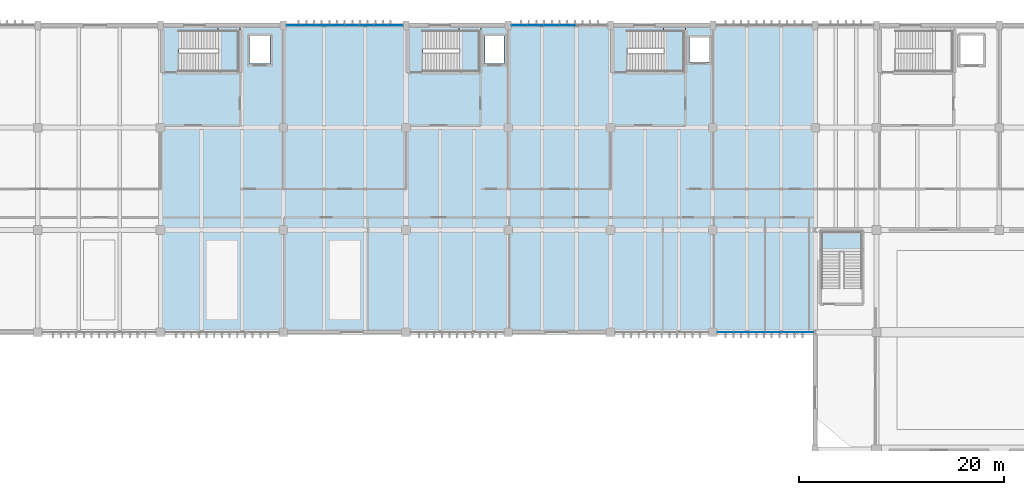
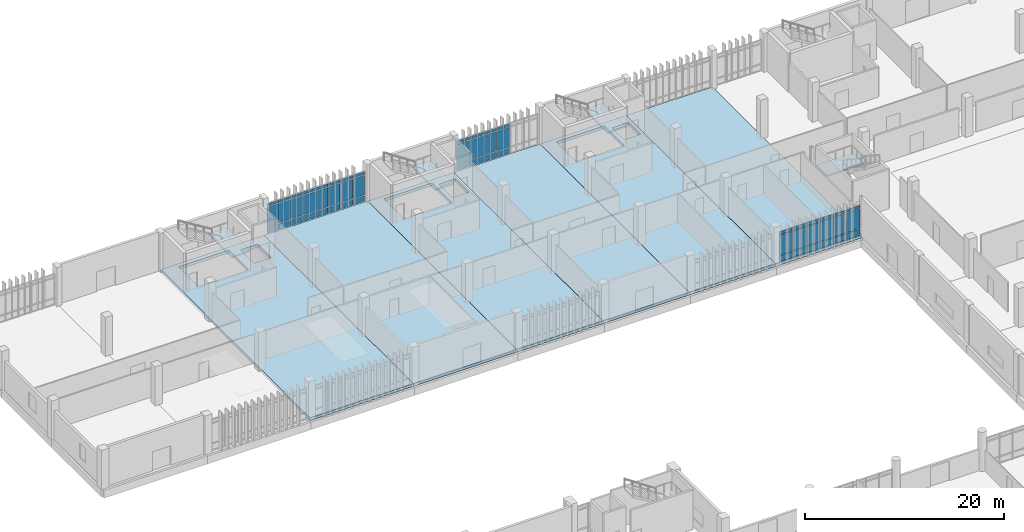
# One storey, part 65 of 87: 54 plates, 10 slabs, 7 elements without a shape of their own.
"""IFC4 building model written with IfcOpenShell, lengths in metres."""

from ifc_helpers import new_model, si_unit, direction, frame, origin, origin_2d, place, context, subcontext, project, spatial, polyline, rectangle, outline, extrude, material, layer, layer_set, type_object, element, aggregate, save


model = new_model("IFC4")

# Units and contexts
model_context = context("Model", 3, precision=1e-05, world=origin(), true_north=direction((0.0, 1.0)))
body_context = subcontext(model_context, "Body", "Model", "MODEL_VIEW")
ifc_project = project(units=[si_unit("LENGTHUNIT", "METRE"), si_unit("AREAUNIT", "SQUARE_METRE"), si_unit("VOLUMEUNIT", "CUBIC_METRE"), si_unit("PLANEANGLEUNIT", "RADIAN"), si_unit("MASSUNIT", "GRAM", prefix="KILO")], contexts=[model_context])

# Site, building, storey
site_placement = place(None, origin())
site = spatial("IfcSite", under=ifc_project, at=site_placement, CompositionType="ELEMENT")
building_placement = place(site_placement, origin())
building = spatial("IfcBuilding", under=site, at=building_placement, Name="Mersad Railyard Sports Hall", CompositionType="ELEMENT")
storey_placement = place(building_placement, origin())
storey = spatial("IfcBuildingStorey", under=building, at=storey_placement, Name="L00", CompositionType="ELEMENT", Elevation=0.0)

# Curtain wall, plates
ifc_material_1 = material(Name="Aluminium 6063-T6", Category="aluminium")
ifc_layer_1 = layer(ifc_material_1, 0.199951171875)
ifc_layer_set_1 = layer_set([ifc_layer_1], Name="Aluminium 6063-T6")
curtain_wall_type_1 = type_object("IfcCurtainWallType", Name="ARC-CW-CW28", PredefinedType="USERDEFINED", material=ifc_layer_set_1)
curtain_wall_1_placement = place(storey_placement, origin())
curtain_wall_1 = element("IfcCurtainWall", 1, at=curtain_wall_1_placement, inside=storey, type_object=curtain_wall_type_1, Name="Curtain wall CW28-0084", ObjectType="CURTAIN WALL", PredefinedType="USERDEFINED")
ifc_material_2 = material(Name="Solar-control glass", Category="glass")
ifc_layer_2 = layer(ifc_material_2, 0.028076171875)
ifc_layer_set_2 = layer_set([ifc_layer_2], Name="Solar-control glass")
plate_type = type_object("IfcPlateType", Name="ARC-CW-PNL01", PredefinedType="CURTAIN_PANEL", material=ifc_layer_set_2)
plate_1_placement = place(storey_placement, frame((80.030029296875, 115.0, 0.0849609375), z_axis=(0.0, 0.0, 1.0), x_axis=(1.0, 0.0, 0.0)))
plate_1 = element("IfcPlate", 2, at=plate_1_placement, type_object=plate_type, Name="CW28 Glazed panel 1-1", PredefinedType="CURTAIN_PANEL", context=body_context, shape_type="SweptSolid", body=[
    extrude(rectangle(XDim=1.3759765625, YDim=0.028076171875, at=origin_2d()), origin(), (0.0, 0.0, 1.0), 0.719970703125),
])
plate_2_placement = place(storey_placement, frame((80.030029296875, 115.0, 0.89501953125), z_axis=(0.0, 0.0, 1.0), x_axis=(1.0, 0.0, 0.0)))
plate_2 = element("IfcPlate", 3, at=plate_2_placement, type_object=plate_type, Name="CW28 Glazed panel 1-2", PredefinedType="CURTAIN_PANEL", context=body_context, shape_type="SweptSolid", body=[
    extrude(rectangle(XDim=1.3759765625, YDim=0.028076171875, at=origin_2d()), origin(), (0.0, 0.0, 1.0), 2.409912109375),
])
plate_3_placement = place(storey_placement, frame((80.030029296875, 115.0, 3.39501953125), z_axis=(0.0, 0.0, 1.0), x_axis=(1.0, 0.0, 0.0)))
plate_3 = element("IfcPlate", 4, at=plate_3_placement, type_object=plate_type, Name="CW28 Glazed panel 1-3", PredefinedType="CURTAIN_PANEL", context=body_context, shape_type="SweptSolid", body=[
    extrude(rectangle(XDim=1.3759765625, YDim=0.028076171875, at=origin_2d()), origin(), (0.0, 0.0, 1.0), 0.35009765625),
])
plate_4_placement = place(storey_placement, frame((81.449951171875, 115.0, 0.0849609375), z_axis=(0.0, 0.0, 1.0), x_axis=(1.0, 0.0, 0.0)))
plate_4 = element("IfcPlate", 5, at=plate_4_placement, type_object=plate_type, Name="CW28 Glazed panel 2-1", PredefinedType="CURTAIN_PANEL", context=body_context, shape_type="SweptSolid", body=[
    extrude(rectangle(XDim=1.3759765625, YDim=0.028076171875, at=origin_2d()), origin(), (0.0, 0.0, 1.0), 0.719970703125),
])
plate_5_placement = place(storey_placement, frame((81.449951171875, 115.0, 0.89501953125), z_axis=(0.0, 0.0, 1.0), x_axis=(1.0, 0.0, 0.0)))
plate_5 = element("IfcPlate", 6, at=plate_5_placement, type_object=plate_type, Name="CW28 Glazed panel 2-2", PredefinedType="CURTAIN_PANEL", context=body_context, shape_type="SweptSolid", body=[
    extrude(rectangle(XDim=1.3759765625, YDim=0.028076171875, at=origin_2d()), origin(), (0.0, 0.0, 1.0), 2.409912109375),
])
plate_6_placement = place(storey_placement, frame((81.449951171875, 115.0, 3.39501953125), z_axis=(0.0, 0.0, 1.0), x_axis=(1.0, 0.0, 0.0)))
plate_6 = element("IfcPlate", 7, at=plate_6_placement, type_object=plate_type, Name="CW28 Glazed panel 2-3", PredefinedType="CURTAIN_PANEL", context=body_context, shape_type="SweptSolid", body=[
    extrude(rectangle(XDim=1.3759765625, YDim=0.028076171875, at=origin_2d()), origin(), (0.0, 0.0, 1.0), 0.35009765625),
])
plate_7_placement = place(storey_placement, frame((82.8701171875, 115.0, 0.0849609375), z_axis=(0.0, 0.0, 1.0), x_axis=(1.0, 0.0, 0.0)))
plate_7 = element("IfcPlate", 8, at=plate_7_placement, type_object=plate_type, Name="CW28 Glazed panel 3-1", PredefinedType="CURTAIN_PANEL", context=body_context, shape_type="SweptSolid", body=[
    extrude(rectangle(XDim=1.3759765625, YDim=0.028076171875, at=origin_2d()), origin(), (0.0, 0.0, 1.0), 0.719970703125),
])
plate_8_placement = place(storey_placement, frame((82.8701171875, 115.0, 0.89501953125), z_axis=(0.0, 0.0, 1.0), x_axis=(1.0, 0.0, 0.0)))
plate_8 = element("IfcPlate", 9, at=plate_8_placement, type_object=plate_type, Name="CW28 Glazed panel 3-2", PredefinedType="CURTAIN_PANEL", context=body_context, shape_type="SweptSolid", body=[
    extrude(rectangle(XDim=1.3759765625, YDim=0.028076171875, at=origin_2d()), origin(), (0.0, 0.0, 1.0), 2.409912109375),
])
plate_9_placement = place(storey_placement, frame((82.8701171875, 115.0, 3.39501953125), z_axis=(0.0, 0.0, 1.0), x_axis=(1.0, 0.0, 0.0)))
plate_9 = element("IfcPlate", 10, at=plate_9_placement, type_object=plate_type, Name="CW28 Glazed panel 3-3", PredefinedType="CURTAIN_PANEL", context=body_context, shape_type="SweptSolid", body=[
    extrude(rectangle(XDim=1.3759765625, YDim=0.028076171875, at=origin_2d()), origin(), (0.0, 0.0, 1.0), 0.35009765625),
])
plate_10_placement = place(storey_placement, frame((84.2900390625, 115.0, 0.0849609375), z_axis=(0.0, 0.0, 1.0), x_axis=(1.0, 0.0, 0.0)))
plate_10 = element("IfcPlate", 11, at=plate_10_placement, type_object=plate_type, Name="CW28 Glazed panel 4-1", PredefinedType="CURTAIN_PANEL", context=body_context, shape_type="SweptSolid", body=[
    extrude(rectangle(XDim=1.3759765625, YDim=0.028076171875, at=origin_2d()), origin(), (0.0, 0.0, 1.0), 0.719970703125),
])
plate_11_placement = place(storey_placement, frame((84.2900390625, 115.0, 0.89501953125), z_axis=(0.0, 0.0, 1.0), x_axis=(1.0, 0.0, 0.0)))
plate_11 = element("IfcPlate", 12, at=plate_11_placement, type_object=plate_type, Name="CW28 Glazed panel 4-2", PredefinedType="CURTAIN_PANEL", context=body_context, shape_type="SweptSolid", body=[
    extrude(rectangle(XDim=1.3759765625, YDim=0.028076171875, at=origin_2d()), origin(), (0.0, 0.0, 1.0), 2.409912109375),
])
plate_12_placement = place(storey_placement, frame((84.2900390625, 115.0, 3.39501953125), z_axis=(0.0, 0.0, 1.0), x_axis=(1.0, 0.0, 0.0)))
plate_12 = element("IfcPlate", 13, at=plate_12_placement, type_object=plate_type, Name="CW28 Glazed panel 4-3", PredefinedType="CURTAIN_PANEL", context=body_context, shape_type="SweptSolid", body=[
    extrude(rectangle(XDim=1.3759765625, YDim=0.028076171875, at=origin_2d()), origin(), (0.0, 0.0, 1.0), 0.35009765625),
])
plate_13_placement = place(storey_placement, frame((85.7099609375, 115.0, 0.0849609375), z_axis=(0.0, 0.0, 1.0), x_axis=(1.0, 0.0, 0.0)))
plate_13 = element("IfcPlate", 14, at=plate_13_placement, type_object=plate_type, Name="CW28 Glazed panel 5-1", PredefinedType="CURTAIN_PANEL", context=body_context, shape_type="SweptSolid", body=[
    extrude(rectangle(XDim=1.3759765625, YDim=0.028076171875, at=origin_2d()), origin(), (0.0, 0.0, 1.0), 0.719970703125),
])
plate_14_placement = place(storey_placement, frame((85.7099609375, 115.0, 0.89501953125), z_axis=(0.0, 0.0, 1.0), x_axis=(1.0, 0.0, 0.0)))
plate_14 = element("IfcPlate", 15, at=plate_14_placement, type_object=plate_type, Name="CW28 Glazed panel 5-2", PredefinedType="CURTAIN_PANEL", context=body_context, shape_type="SweptSolid", body=[
    extrude(rectangle(XDim=1.3759765625, YDim=0.028076171875, at=origin_2d()), origin(), (0.0, 0.0, 1.0), 2.409912109375),
])
plate_15_placement = place(storey_placement, frame((85.7099609375, 115.0, 3.39501953125), z_axis=(0.0, 0.0, 1.0), x_axis=(1.0, 0.0, 0.0)))
plate_15 = element("IfcPlate", 16, at=plate_15_placement, type_object=plate_type, Name="CW28 Glazed panel 5-3", PredefinedType="CURTAIN_PANEL", context=body_context, shape_type="SweptSolid", body=[
    extrude(rectangle(XDim=1.3759765625, YDim=0.028076171875, at=origin_2d()), origin(), (0.0, 0.0, 1.0), 0.35009765625),
])
plate_16_placement = place(storey_placement, frame((87.1298828125, 115.0, 0.0849609375), z_axis=(0.0, 0.0, 1.0), x_axis=(1.0, 0.0, 0.0)))
plate_16 = element("IfcPlate", 17, at=plate_16_placement, type_object=plate_type, Name="CW28 Glazed panel 6-1", PredefinedType="CURTAIN_PANEL", context=body_context, shape_type="SweptSolid", body=[
    extrude(rectangle(XDim=1.3759765625, YDim=0.028076171875, at=origin_2d()), origin(), (0.0, 0.0, 1.0), 0.719970703125),
])
plate_17_placement = place(storey_placement, frame((87.1298828125, 115.0, 0.89501953125), z_axis=(0.0, 0.0, 1.0), x_axis=(1.0, 0.0, 0.0)))
plate_17 = element("IfcPlate", 18, at=plate_17_placement, type_object=plate_type, Name="CW28 Glazed panel 6-2", PredefinedType="CURTAIN_PANEL", context=body_context, shape_type="SweptSolid", body=[
    extrude(rectangle(XDim=1.3759765625, YDim=0.028076171875, at=origin_2d()), origin(), (0.0, 0.0, 1.0), 2.409912109375),
])
plate_18_placement = place(storey_placement, frame((87.1298828125, 115.0, 3.39501953125), z_axis=(0.0, 0.0, 1.0), x_axis=(1.0, 0.0, 0.0)))
plate_18 = element("IfcPlate", 19, at=plate_18_placement, type_object=plate_type, Name="CW28 Glazed panel 6-3", PredefinedType="CURTAIN_PANEL", context=body_context, shape_type="SweptSolid", body=[
    extrude(rectangle(XDim=1.3759765625, YDim=0.028076171875, at=origin_2d()), origin(), (0.0, 0.0, 1.0), 0.35009765625),
])
plate_19_placement = place(storey_placement, frame((88.550048828125, 115.0, 0.0849609375), z_axis=(0.0, 0.0, 1.0), x_axis=(1.0, 0.0, 0.0)))
plate_19 = element("IfcPlate", 20, at=plate_19_placement, type_object=plate_type, Name="CW28 Glazed panel 7-1", PredefinedType="CURTAIN_PANEL", context=body_context, shape_type="SweptSolid", body=[
    extrude(rectangle(XDim=1.3759765625, YDim=0.028076171875, at=origin_2d()), origin(), (0.0, 0.0, 1.0), 0.719970703125),
])
plate_20_placement = place(storey_placement, frame((88.550048828125, 115.0, 0.89501953125), z_axis=(0.0, 0.0, 1.0), x_axis=(1.0, 0.0, 0.0)))
plate_20 = element("IfcPlate", 21, at=plate_20_placement, type_object=plate_type, Name="CW28 Glazed panel 7-2", PredefinedType="CURTAIN_PANEL", context=body_context, shape_type="SweptSolid", body=[
    extrude(rectangle(XDim=1.3759765625, YDim=0.028076171875, at=origin_2d()), origin(), (0.0, 0.0, 1.0), 2.409912109375),
])
plate_21_placement = place(storey_placement, frame((88.550048828125, 115.0, 3.39501953125), z_axis=(0.0, 0.0, 1.0), x_axis=(1.0, 0.0, 0.0)))
plate_21 = element("IfcPlate", 22, at=plate_21_placement, type_object=plate_type, Name="CW28 Glazed panel 7-3", PredefinedType="CURTAIN_PANEL", context=body_context, shape_type="SweptSolid", body=[
    extrude(rectangle(XDim=1.3759765625, YDim=0.028076171875, at=origin_2d()), origin(), (0.0, 0.0, 1.0), 0.35009765625),
])
plate_22_placement = place(storey_placement, frame((89.969970703125, 115.0, 0.0849609375), z_axis=(0.0, 0.0, 1.0), x_axis=(1.0, 0.0, 0.0)))
plate_22 = element("IfcPlate", 23, at=plate_22_placement, type_object=plate_type, Name="CW28 Glazed panel 8-1", PredefinedType="CURTAIN_PANEL", context=body_context, shape_type="SweptSolid", body=[
    extrude(rectangle(XDim=1.3759765625, YDim=0.028076171875, at=origin_2d()), origin(), (0.0, 0.0, 1.0), 0.719970703125),
])
plate_23_placement = place(storey_placement, frame((89.969970703125, 115.0, 0.89501953125), z_axis=(0.0, 0.0, 1.0), x_axis=(1.0, 0.0, 0.0)))
plate_23 = element("IfcPlate", 24, at=plate_23_placement, type_object=plate_type, Name="CW28 Glazed panel 8-2", PredefinedType="CURTAIN_PANEL", context=body_context, shape_type="SweptSolid", body=[
    extrude(rectangle(XDim=1.3759765625, YDim=0.028076171875, at=origin_2d()), origin(), (0.0, 0.0, 1.0), 2.409912109375),
])
plate_24_placement = place(storey_placement, frame((89.969970703125, 115.0, 3.39501953125), z_axis=(0.0, 0.0, 1.0), x_axis=(1.0, 0.0, 0.0)))
plate_24 = element("IfcPlate", 25, at=plate_24_placement, type_object=plate_type, Name="CW28 Glazed panel 8-3", PredefinedType="CURTAIN_PANEL", context=body_context, shape_type="SweptSolid", body=[
    extrude(rectangle(XDim=1.3759765625, YDim=0.028076171875, at=origin_2d()), origin(), (0.0, 0.0, 1.0), 0.35009765625),
])
aggregate(curtain_wall_1, [plate_1, plate_2, plate_3, plate_4, plate_5, plate_6, plate_7, plate_8, plate_9, plate_10, plate_11, plate_12, plate_13, plate_14, plate_15, plate_16, plate_17, plate_18, plate_19, plate_20, plate_21, plate_22, plate_23, plate_24])

ifc_layer_3 = layer(ifc_material_1, 0.199951171875)
ifc_layer_set_3 = layer_set([ifc_layer_3], Name="Aluminium 6063-T6")
curtain_wall_type_2 = type_object("IfcCurtainWallType", Name="ARC-CW-CW29", PredefinedType="USERDEFINED", material=ifc_layer_set_3)
curtain_wall_2_placement = place(storey_placement, origin())
curtain_wall_2 = element("IfcCurtainWall", 26, at=curtain_wall_2_placement, inside=storey, type_object=curtain_wall_type_2, Name="Curtain wall CW29-0085", ObjectType="CURTAIN WALL", PredefinedType="USERDEFINED")
plate_25_placement = place(storey_placement, frame((102.10009765625, 115.0, 0.0849609375), z_axis=(0.0, 0.0, 1.0), x_axis=(1.0, 0.0, 0.0)))
plate_25 = element("IfcPlate", 27, at=plate_25_placement, type_object=plate_type, Name="CW29 Glazed panel 1-1", PredefinedType="CURTAIN_PANEL", context=body_context, shape_type="SweptSolid", body=[
    extrude(rectangle(XDim=1.51611328125, YDim=0.028076171875, at=origin_2d()), origin(), (0.0, 0.0, 1.0), 0.719970703125),
])
plate_26_placement = place(storey_placement, frame((102.10009765625, 115.0, 0.89501953125), z_axis=(0.0, 0.0, 1.0), x_axis=(1.0, 0.0, 0.0)))
plate_26 = element("IfcPlate", 28, at=plate_26_placement, type_object=plate_type, Name="CW29 Glazed panel 1-2", PredefinedType="CURTAIN_PANEL", context=body_context, shape_type="SweptSolid", body=[
    extrude(rectangle(XDim=1.51611328125, YDim=0.028076171875, at=origin_2d()), origin(), (0.0, 0.0, 1.0), 2.409912109375),
])
plate_27_placement = place(storey_placement, frame((102.10009765625, 115.0, 3.39501953125), z_axis=(0.0, 0.0, 1.0), x_axis=(1.0, 0.0, 0.0)))
plate_27 = element("IfcPlate", 29, at=plate_27_placement, type_object=plate_type, Name="CW29 Glazed panel 1-3", PredefinedType="CURTAIN_PANEL", context=body_context, shape_type="SweptSolid", body=[
    extrude(rectangle(XDim=1.51611328125, YDim=0.028076171875, at=origin_2d()), origin(), (0.0, 0.0, 1.0), 0.35009765625),
])
plate_28_placement = place(storey_placement, frame((103.659912109375, 115.0, 0.0849609375), z_axis=(0.0, 0.0, 1.0), x_axis=(1.0, 0.0, 0.0)))
plate_28 = element("IfcPlate", 30, at=plate_28_placement, type_object=plate_type, Name="CW29 Glazed panel 2-1", PredefinedType="CURTAIN_PANEL", context=body_context, shape_type="SweptSolid", body=[
    extrude(rectangle(XDim=1.51611328125, YDim=0.028076171875, at=origin_2d()), origin(), (0.0, 0.0, 1.0), 0.719970703125),
])
plate_29_placement = place(storey_placement, frame((103.659912109375, 115.0, 0.89501953125), z_axis=(0.0, 0.0, 1.0), x_axis=(1.0, 0.0, 0.0)))
plate_29 = element("IfcPlate", 31, at=plate_29_placement, type_object=plate_type, Name="CW29 Glazed panel 2-2", PredefinedType="CURTAIN_PANEL", context=body_context, shape_type="SweptSolid", body=[
    extrude(rectangle(XDim=1.51611328125, YDim=0.028076171875, at=origin_2d()), origin(), (0.0, 0.0, 1.0), 2.409912109375),
])
plate_30_placement = place(storey_placement, frame((103.659912109375, 115.0, 3.39501953125), z_axis=(0.0, 0.0, 1.0), x_axis=(1.0, 0.0, 0.0)))
plate_30 = element("IfcPlate", 32, at=plate_30_placement, type_object=plate_type, Name="CW29 Glazed panel 2-3", PredefinedType="CURTAIN_PANEL", context=body_context, shape_type="SweptSolid", body=[
    extrude(rectangle(XDim=1.51611328125, YDim=0.028076171875, at=origin_2d()), origin(), (0.0, 0.0, 1.0), 0.35009765625),
])
plate_31_placement = place(storey_placement, frame((105.219970703125, 115.0, 0.0849609375), z_axis=(0.0, 0.0, 1.0), x_axis=(1.0, 0.0, 0.0)))
plate_31 = element("IfcPlate", 33, at=plate_31_placement, type_object=plate_type, Name="CW29 Glazed panel 3-1", PredefinedType="CURTAIN_PANEL", context=body_context, shape_type="SweptSolid", body=[
    extrude(rectangle(XDim=1.51611328125, YDim=0.028076171875, at=origin_2d()), origin(), (0.0, 0.0, 1.0), 0.719970703125),
])
plate_32_placement = place(storey_placement, frame((105.219970703125, 115.0, 0.89501953125), z_axis=(0.0, 0.0, 1.0), x_axis=(1.0, 0.0, 0.0)))
plate_32 = element("IfcPlate", 34, at=plate_32_placement, type_object=plate_type, Name="CW29 Glazed panel 3-2", PredefinedType="CURTAIN_PANEL", context=body_context, shape_type="SweptSolid", body=[
    extrude(rectangle(XDim=1.51611328125, YDim=0.028076171875, at=origin_2d()), origin(), (0.0, 0.0, 1.0), 2.409912109375),
])
plate_33_placement = place(storey_placement, frame((105.219970703125, 115.0, 3.39501953125), z_axis=(0.0, 0.0, 1.0), x_axis=(1.0, 0.0, 0.0)))
plate_33 = element("IfcPlate", 35, at=plate_33_placement, type_object=plate_type, Name="CW29 Glazed panel 3-3", PredefinedType="CURTAIN_PANEL", context=body_context, shape_type="SweptSolid", body=[
    extrude(rectangle(XDim=1.51611328125, YDim=0.028076171875, at=origin_2d()), origin(), (0.0, 0.0, 1.0), 0.35009765625),
])
plate_34_placement = place(storey_placement, frame((106.780029296875, 115.0, 0.0849609375), z_axis=(0.0, 0.0, 1.0), x_axis=(1.0, 0.0, 0.0)))
plate_34 = element("IfcPlate", 36, at=plate_34_placement, type_object=plate_type, Name="CW29 Glazed panel 4-1", PredefinedType="CURTAIN_PANEL", context=body_context, shape_type="SweptSolid", body=[
    extrude(rectangle(XDim=1.51611328125, YDim=0.028076171875, at=origin_2d()), origin(), (0.0, 0.0, 1.0), 0.719970703125),
])
plate_35_placement = place(storey_placement, frame((106.780029296875, 115.0, 0.89501953125), z_axis=(0.0, 0.0, 1.0), x_axis=(1.0, 0.0, 0.0)))
plate_35 = element("IfcPlate", 37, at=plate_35_placement, type_object=plate_type, Name="CW29 Glazed panel 4-2", PredefinedType="CURTAIN_PANEL", context=body_context, shape_type="SweptSolid", body=[
    extrude(rectangle(XDim=1.51611328125, YDim=0.028076171875, at=origin_2d()), origin(), (0.0, 0.0, 1.0), 2.409912109375),
])
plate_36_placement = place(storey_placement, frame((106.780029296875, 115.0, 3.39501953125), z_axis=(0.0, 0.0, 1.0), x_axis=(1.0, 0.0, 0.0)))
plate_36 = element("IfcPlate", 38, at=plate_36_placement, type_object=plate_type, Name="CW29 Glazed panel 4-3", PredefinedType="CURTAIN_PANEL", context=body_context, shape_type="SweptSolid", body=[
    extrude(rectangle(XDim=1.51611328125, YDim=0.028076171875, at=origin_2d()), origin(), (0.0, 0.0, 1.0), 0.35009765625),
])
aggregate(curtain_wall_2, [plate_25, plate_26, plate_27, plate_28, plate_29, plate_30, plate_31, plate_32, plate_33, plate_34, plate_35, plate_36])

ifc_layer_4 = layer(ifc_material_1, 0.159912109375)
ifc_layer_set_4 = layer_set([ifc_layer_4], Name="Aluminium 6063-T6")
curtain_wall_type_3 = type_object("IfcCurtainWallType", Name="ARC-CW-CW33", PredefinedType="USERDEFINED", material=ifc_layer_set_4)
curtain_wall_3_placement = place(storey_placement, origin())
curtain_wall_3 = element("IfcCurtainWall", 39, at=curtain_wall_3_placement, inside=storey, type_object=curtain_wall_type_3, Name="Curtain wall CW33-0094", ObjectType="CURTAIN WALL", PredefinedType="USERDEFINED")
plate_37_placement = place(storey_placement, frame((130.0478515625, 85.0, 0.0849609375), z_axis=(0.0, 0.0, 1.0), x_axis=(-1.0, 0.0, 0.0)))
plate_37 = element("IfcPlate", 40, at=plate_37_placement, type_object=plate_type, Name="CW33 Glazed panel 1-1", PredefinedType="CURTAIN_PANEL", context=body_context, shape_type="SweptSolid", body=[
    extrude(rectangle(XDim=1.520263671875, YDim=0.028076171875, at=origin_2d()), origin(), (0.0, 0.0, 1.0), 0.719970703125),
])
plate_38_placement = place(storey_placement, frame((130.0478515625, 85.0, 0.89501953125), z_axis=(0.0, 0.0, 1.0), x_axis=(-1.0, 0.0, 0.0)))
plate_38 = element("IfcPlate", 41, at=plate_38_placement, type_object=plate_type, Name="CW33 Glazed panel 1-2", PredefinedType="CURTAIN_PANEL", context=body_context, shape_type="SweptSolid", body=[
    extrude(rectangle(XDim=1.520263671875, YDim=0.028076171875, at=origin_2d()), origin(), (0.0, 0.0, 1.0), 2.409912109375),
])
plate_39_placement = place(storey_placement, frame((130.0478515625, 85.0, 3.39501953125), z_axis=(0.0, 0.0, 1.0), x_axis=(-1.0, 0.0, 0.0)))
plate_39 = element("IfcPlate", 42, at=plate_39_placement, type_object=plate_type, Name="CW33 Glazed panel 1-3", PredefinedType="CURTAIN_PANEL", context=body_context, shape_type="SweptSolid", body=[
    extrude(rectangle(XDim=1.520263671875, YDim=0.028076171875, at=origin_2d()), origin(), (0.0, 0.0, 1.0), 0.35009765625),
])
plate_40_placement = place(storey_placement, frame((128.483642578125, 85.0, 0.0849609375), z_axis=(0.0, 0.0, 1.0), x_axis=(-1.0, 0.0, 0.0)))
plate_40 = element("IfcPlate", 43, at=plate_40_placement, type_object=plate_type, Name="CW33 Glazed panel 2-1", PredefinedType="CURTAIN_PANEL", context=body_context, shape_type="SweptSolid", body=[
    extrude(rectangle(XDim=1.520263671875, YDim=0.028076171875, at=origin_2d()), origin(), (0.0, 0.0, 1.0), 0.719970703125),
])
plate_41_placement = place(storey_placement, frame((128.483642578125, 85.0, 0.89501953125), z_axis=(0.0, 0.0, 1.0), x_axis=(-1.0, 0.0, 0.0)))
plate_41 = element("IfcPlate", 44, at=plate_41_placement, type_object=plate_type, Name="CW33 Glazed panel 2-2", PredefinedType="CURTAIN_PANEL", context=body_context, shape_type="SweptSolid", body=[
    extrude(rectangle(XDim=1.520263671875, YDim=0.028076171875, at=origin_2d()), origin(), (0.0, 0.0, 1.0), 2.409912109375),
])
plate_42_placement = place(storey_placement, frame((128.483642578125, 85.0, 3.39501953125), z_axis=(0.0, 0.0, 1.0), x_axis=(-1.0, 0.0, 0.0)))
plate_42 = element("IfcPlate", 45, at=plate_42_placement, type_object=plate_type, Name="CW33 Glazed panel 2-3", PredefinedType="CURTAIN_PANEL", context=body_context, shape_type="SweptSolid", body=[
    extrude(rectangle(XDim=1.520263671875, YDim=0.028076171875, at=origin_2d()), origin(), (0.0, 0.0, 1.0), 0.35009765625),
])
plate_43_placement = place(storey_placement, frame((126.919677734375, 85.0, 0.0849609375), z_axis=(0.0, 0.0, 1.0), x_axis=(-1.0, 0.0, 0.0)))
plate_43 = element("IfcPlate", 46, at=plate_43_placement, type_object=plate_type, Name="CW33 Glazed panel 3-1", PredefinedType="CURTAIN_PANEL", context=body_context, shape_type="SweptSolid", body=[
    extrude(rectangle(XDim=1.520263671875, YDim=0.028076171875, at=origin_2d()), origin(), (0.0, 0.0, 1.0), 0.719970703125),
])
plate_44_placement = place(storey_placement, frame((126.919677734375, 85.0, 0.89501953125), z_axis=(0.0, 0.0, 1.0), x_axis=(-1.0, 0.0, 0.0)))
plate_44 = element("IfcPlate", 47, at=plate_44_placement, type_object=plate_type, Name="CW33 Glazed panel 3-2", PredefinedType="CURTAIN_PANEL", context=body_context, shape_type="SweptSolid", body=[
    extrude(rectangle(XDim=1.520263671875, YDim=0.028076171875, at=origin_2d()), origin(), (0.0, 0.0, 1.0), 2.409912109375),
])
plate_45_placement = place(storey_placement, frame((126.919677734375, 85.0, 3.39501953125), z_axis=(0.0, 0.0, 1.0), x_axis=(-1.0, 0.0, 0.0)))
plate_45 = element("IfcPlate", 48, at=plate_45_placement, type_object=plate_type, Name="CW33 Glazed panel 3-3", PredefinedType="CURTAIN_PANEL", context=body_context, shape_type="SweptSolid", body=[
    extrude(rectangle(XDim=1.520263671875, YDim=0.028076171875, at=origin_2d()), origin(), (0.0, 0.0, 1.0), 0.35009765625),
])
plate_46_placement = place(storey_placement, frame((125.35546875, 85.0, 0.0849609375), z_axis=(0.0, 0.0, 1.0), x_axis=(-1.0, 0.0, 0.0)))
plate_46 = element("IfcPlate", 49, at=plate_46_placement, type_object=plate_type, Name="CW33 Glazed panel 4-1", PredefinedType="CURTAIN_PANEL", context=body_context, shape_type="SweptSolid", body=[
    extrude(rectangle(XDim=1.520263671875, YDim=0.028076171875, at=origin_2d()), origin(), (0.0, 0.0, 1.0), 0.719970703125),
])
plate_47_placement = place(storey_placement, frame((125.35546875, 85.0, 0.89501953125), z_axis=(0.0, 0.0, 1.0), x_axis=(-1.0, 0.0, 0.0)))
plate_47 = element("IfcPlate", 50, at=plate_47_placement, type_object=plate_type, Name="CW33 Glazed panel 4-2", PredefinedType="CURTAIN_PANEL", context=body_context, shape_type="SweptSolid", body=[
    extrude(rectangle(XDim=1.520263671875, YDim=0.028076171875, at=origin_2d()), origin(), (0.0, 0.0, 1.0), 2.409912109375),
])
plate_48_placement = place(storey_placement, frame((125.35546875, 85.0, 3.39501953125), z_axis=(0.0, 0.0, 1.0), x_axis=(-1.0, 0.0, 0.0)))
plate_48 = element("IfcPlate", 51, at=plate_48_placement, type_object=plate_type, Name="CW33 Glazed panel 4-3", PredefinedType="CURTAIN_PANEL", context=body_context, shape_type="SweptSolid", body=[
    extrude(rectangle(XDim=1.520263671875, YDim=0.028076171875, at=origin_2d()), origin(), (0.0, 0.0, 1.0), 0.35009765625),
])
plate_49_placement = place(storey_placement, frame((123.791259765625, 85.0, 0.0849609375), z_axis=(0.0, 0.0, 1.0), x_axis=(-1.0, 0.0, 0.0)))
plate_49 = element("IfcPlate", 52, at=plate_49_placement, type_object=plate_type, Name="CW33 Glazed panel 5-1", PredefinedType="CURTAIN_PANEL", context=body_context, shape_type="SweptSolid", body=[
    extrude(rectangle(XDim=1.520263671875, YDim=0.028076171875, at=origin_2d()), origin(), (0.0, 0.0, 1.0), 0.719970703125),
])
plate_50_placement = place(storey_placement, frame((123.791259765625, 85.0, 0.89501953125), z_axis=(0.0, 0.0, 1.0), x_axis=(-1.0, 0.0, 0.0)))
plate_50 = element("IfcPlate", 53, at=plate_50_placement, type_object=plate_type, Name="CW33 Glazed panel 5-2", PredefinedType="CURTAIN_PANEL", context=body_context, shape_type="SweptSolid", body=[
    extrude(rectangle(XDim=1.520263671875, YDim=0.028076171875, at=origin_2d()), origin(), (0.0, 0.0, 1.0), 2.409912109375),
])
plate_51_placement = place(storey_placement, frame((123.791259765625, 85.0, 3.39501953125), z_axis=(0.0, 0.0, 1.0), x_axis=(-1.0, 0.0, 0.0)))
plate_51 = element("IfcPlate", 54, at=plate_51_placement, type_object=plate_type, Name="CW33 Glazed panel 5-3", PredefinedType="CURTAIN_PANEL", context=body_context, shape_type="SweptSolid", body=[
    extrude(rectangle(XDim=1.520263671875, YDim=0.028076171875, at=origin_2d()), origin(), (0.0, 0.0, 1.0), 0.35009765625),
])
plate_52_placement = place(storey_placement, frame((122.22705078125, 85.0, 0.0849609375), z_axis=(0.0, 0.0, 1.0), x_axis=(-1.0, 0.0, 0.0)))
plate_52 = element("IfcPlate", 55, at=plate_52_placement, type_object=plate_type, Name="CW33 Glazed panel 6-1", PredefinedType="CURTAIN_PANEL", context=body_context, shape_type="SweptSolid", body=[
    extrude(rectangle(XDim=1.520263671875, YDim=0.028076171875, at=origin_2d()), origin(), (0.0, 0.0, 1.0), 0.719970703125),
])
plate_53_placement = place(storey_placement, frame((122.22705078125, 85.0, 0.89501953125), z_axis=(0.0, 0.0, 1.0), x_axis=(-1.0, 0.0, 0.0)))
plate_53 = element("IfcPlate", 56, at=plate_53_placement, type_object=plate_type, Name="CW33 Glazed panel 6-2", PredefinedType="CURTAIN_PANEL", context=body_context, shape_type="SweptSolid", body=[
    extrude(rectangle(XDim=1.520263671875, YDim=0.028076171875, at=origin_2d()), origin(), (0.0, 0.0, 1.0), 2.409912109375),
])
plate_54_placement = place(storey_placement, frame((122.22705078125, 85.0, 3.39501953125), z_axis=(0.0, 0.0, 1.0), x_axis=(-1.0, 0.0, 0.0)))
plate_54 = element("IfcPlate", 57, at=plate_54_placement, type_object=plate_type, Name="CW33 Glazed panel 6-3", PredefinedType="CURTAIN_PANEL", context=body_context, shape_type="SweptSolid", body=[
    extrude(rectangle(XDim=1.520263671875, YDim=0.028076171875, at=origin_2d()), origin(), (0.0, 0.0, 1.0), 0.35009765625),
])
aggregate(curtain_wall_3, [plate_37, plate_38, plate_39, plate_40, plate_41, plate_42, plate_43, plate_44, plate_45, plate_46, plate_47, plate_48, plate_49, plate_50, plate_51, plate_52, plate_53, plate_54])

# Slabs
ifc_material_3 = material(Name="Concrete C50/60", Category="concrete")
ifc_layer_5 = layer(ifc_material_3, 0.35009765625)
ifc_layer_set_5 = layer_set([ifc_layer_5], Name="Concrete C50/60")
slab_type_1 = type_object("IfcSlabType", Name="STR-SL-FL05", PredefinedType="FLOOR", material=ifc_layer_set_5)
slab_1_placement = place(storey_placement, frame((0.0, 0.0, -0.35009765625)))
element("IfcSlab", 58, at=slab_1_placement, inside=storey, type_object=slab_type_1, Name="Slab SL05-0029", PredefinedType="FLOOR", context=body_context, shape_type="SweptSolid", body=[
    extrude(outline(polyline([(67.0, 85.0), (79.0, 85.0), (79.0, 115.0), (67.0, 115.0), (67.0, 85.0)]), holes=[polyline([(68.7900390625, 110.5), (74.64990234375, 110.5), (74.64990234375, 114.5), (68.7900390625, 114.5), (68.7900390625, 110.5)]), polyline([(75.699951171875, 111.25), (77.699951171875, 111.25), (77.699951171875, 113.949951171875), (75.699951171875, 113.949951171875), (75.699951171875, 111.25)])]), origin(), (0.0, 0.0, 1.0), 0.35009765625),
])
slab_2_placement = place(storey_placement, frame((0.0, 0.0, -0.35009765625)))
element("IfcSlab", 59, at=slab_2_placement, inside=storey, type_object=slab_type_1, Name="Slab SL05-0030", PredefinedType="FLOOR", context=body_context, shape_type="SweptSolid", body=[
    extrude(outline(polyline([(79.0, 85.0), (91.0, 85.0), (91.0, 115.0), (79.0, 115.0), (79.0, 85.0)])), origin(), (0.0, 0.0, 1.0), 0.35009765625),
])
slab_3_placement = place(storey_placement, frame((0.0, 0.0, -0.35009765625)))
element("IfcSlab", 60, at=slab_3_placement, inside=storey, type_object=slab_type_1, Name="Slab SL05-0031", PredefinedType="FLOOR", context=body_context, shape_type="SweptSolid", body=[
    extrude(outline(polyline([(91.0, 85.0), (101.0, 85.0), (101.0, 115.0), (91.0, 115.0), (91.0, 85.0)]), holes=[polyline([(92.639892578125, 110.5), (98.199951171875, 110.5), (98.199951171875, 114.5), (92.639892578125, 114.5), (92.639892578125, 110.5)]), polyline([(98.699951171875, 111.25), (100.60009765625, 111.25), (100.60009765625, 113.949951171875), (98.699951171875, 113.949951171875), (98.699951171875, 111.25)])]), origin(), (0.0, 0.0, 1.0), 0.35009765625),
])
slab_4_placement = place(storey_placement, frame((0.0, 0.0, -0.35009765625)))
element("IfcSlab", 61, at=slab_4_placement, inside=storey, type_object=slab_type_1, Name="Slab SL05-0032", PredefinedType="FLOOR", context=body_context, shape_type="SweptSolid", body=[
    extrude(outline(polyline([(101.0, 85.0), (111.0, 85.0), (111.0, 115.0), (101.0, 115.0), (101.0, 85.0)])), origin(), (0.0, 0.0, 1.0), 0.35009765625),
])
slab_5_placement = place(storey_placement, frame((0.0, 0.0, -0.35009765625)))
element("IfcSlab", 62, at=slab_5_placement, inside=storey, type_object=slab_type_1, Name="Slab SL05-0033", PredefinedType="FLOOR", context=body_context, shape_type="SweptSolid", body=[
    extrude(outline(polyline([(111.0, 85.0), (121.0, 85.0), (121.0, 115.0), (111.0, 115.0), (111.0, 85.0)]), holes=[polyline([(112.639892578125, 110.5), (118.199951171875, 110.5), (118.199951171875, 114.5), (112.639892578125, 114.5), (112.639892578125, 110.5)]), polyline([(118.699951171875, 111.39990234375), (120.60009765625, 111.39990234375), (120.60009765625, 113.800048828125), (118.699951171875, 113.800048828125), (118.699951171875, 111.39990234375)])]), origin(), (0.0, 0.0, 1.0), 0.35009765625),
])
slab_6_placement = place(storey_placement, frame((0.0, 0.0, -0.35009765625)))
element("IfcSlab", 63, at=slab_6_placement, inside=storey, type_object=slab_type_1, Name="Slab SL05-0034", PredefinedType="FLOOR", context=body_context, shape_type="SweptSolid", body=[
    extrude(outline(polyline([(121.0, 85.0), (131.0, 85.0), (131.0, 115.0), (121.0, 115.0), (121.0, 85.0)])), origin(), (0.0, 0.0, 1.0), 0.35009765625),
])

# Stair, slab
ifc_material_4 = material(Name="Concrete C40/50", Category="concrete")
stair_type_1 = type_object("IfcStairType", Name="ARC-ST-ST11A", PredefinedType="HALF_TURN_STAIR", material=ifc_material_4)
stair_1_placement = place(storey_placement, origin())
stair_1 = element("IfcStair", 64, at=stair_1_placement, inside=storey, type_object=stair_type_1, Name="Climbing Mezzanine Stair L00-L01", PredefinedType="HALF_TURN_STAIR")
ifc_layer_6 = layer(ifc_material_4, 0.179931640625)
ifc_layer_set_6 = layer_set([ifc_layer_6], Name="Concrete C40/50")
slab_type_2 = type_object("IfcSlabType", Name="STR-SL-LD01", PredefinedType="LANDING", material=ifc_layer_set_6)
slab_7_placement = place(storey_placement, frame((0.0, 0.0, 2.219970703125)))
slab_7 = element("IfcSlab", 65, at=slab_7_placement, type_object=slab_type_2, Name="Climbing Mezzanine Stair L00-L01 Half Landing", PredefinedType="LANDING", context=body_context, shape_type="SweptSolid", body=[
    extrude(outline(polyline([(131.47998046875, 92.830078125), (135.719970703125, 92.830078125), (135.719970703125, 94.969970703125), (131.47998046875, 94.969970703125), (131.47998046875, 92.830078125)])), origin(), (0.0, 0.0, 1.0), 0.179931640625),
])
aggregate(stair_1, [slab_7])

stair_type_2 = type_object("IfcStairType", Name="ARC-ST-ST01B", PredefinedType="HALF_TURN_STAIR", material=ifc_material_4)
stair_2_placement = place(storey_placement, origin())
stair_2 = element("IfcStair", 66, at=stair_2_placement, inside=storey, type_object=stair_type_2, Name="Core C1 Exit Stair L00-L01", PredefinedType="HALF_TURN_STAIR")
ifc_material_5 = material(Name="Precast concrete C45/55", Category="concrete")
ifc_layer_7 = layer(ifc_material_5, 0.199951171875)
ifc_layer_set_7 = layer_set([ifc_layer_7], Name="Precast concrete C45/55")
slab_type_3 = type_object("IfcSlabType", Name="STR-SL-LD02", PredefinedType="LANDING", material=ifc_layer_set_7)
slab_8_placement = place(storey_placement, frame((0.0, 0.0, 2.219970703125)))
slab_8 = element("IfcSlab", 67, at=slab_8_placement, type_object=slab_type_3, Name="Core C1 Exit Stair L00-L01 Half Landing", PredefinedType="LANDING", context=body_context, shape_type="SweptSolid", body=[
    extrude(outline(polyline([(72.610107421875, 110.3798828125), (74.77001953125, 110.3798828125), (74.77001953125, 115.050048828125), (72.610107421875, 115.050048828125), (72.610107421875, 110.3798828125)])), origin(), (0.0, 0.0, 1.0), 0.179931640625),
])
aggregate(stair_2, [slab_8])

stair_type_3 = type_object("IfcStairType", Name="ARC-ST-ST02B", PredefinedType="HALF_TURN_STAIR", material=ifc_material_4)
stair_3_placement = place(storey_placement, origin())
stair_3 = element("IfcStair", 68, at=stair_3_placement, inside=storey, type_object=stair_type_3, Name="Core C2 Exit Stair L00-L01", PredefinedType="HALF_TURN_STAIR")
slab_9_placement = place(storey_placement, frame((0.0, 0.0, 2.219970703125)))
slab_9 = element("IfcSlab", 69, at=slab_9_placement, type_object=slab_type_3, Name="Core C2 Exit Stair L00-L01 Half Landing", PredefinedType="LANDING", context=body_context, shape_type="SweptSolid", body=[
    extrude(outline(polyline([(96.179931640625, 110.3798828125), (98.320068359375, 110.3798828125), (98.320068359375, 115.050048828125), (96.179931640625, 115.050048828125), (96.179931640625, 110.3798828125)])), origin(), (0.0, 0.0, 1.0), 0.179931640625),
])
aggregate(stair_3, [slab_9])

stair_type_4 = type_object("IfcStairType", Name="ARC-ST-ST03B", PredefinedType="HALF_TURN_STAIR", material=ifc_material_4)
stair_4_placement = place(storey_placement, origin())
stair_4 = element("IfcStair", 70, at=stair_4_placement, inside=storey, type_object=stair_type_4, Name="Core C3 Exit Stair L00-L01", PredefinedType="HALF_TURN_STAIR")
slab_10_placement = place(storey_placement, frame((0.0, 0.0, 2.219970703125)))
slab_10 = element("IfcSlab", 71, at=slab_10_placement, type_object=slab_type_3, Name="Core C3 Exit Stair L00-L01 Half Landing", PredefinedType="LANDING", context=body_context, shape_type="SweptSolid", body=[
    extrude(outline(polyline([(116.179931640625, 110.3798828125), (118.320068359375, 110.3798828125), (118.320068359375, 115.050048828125), (116.179931640625, 115.050048828125), (116.179931640625, 110.3798828125)])), origin(), (0.0, 0.0, 1.0), 0.179931640625),
])
aggregate(stair_4, [slab_10])

save(model, "model.ifc")
